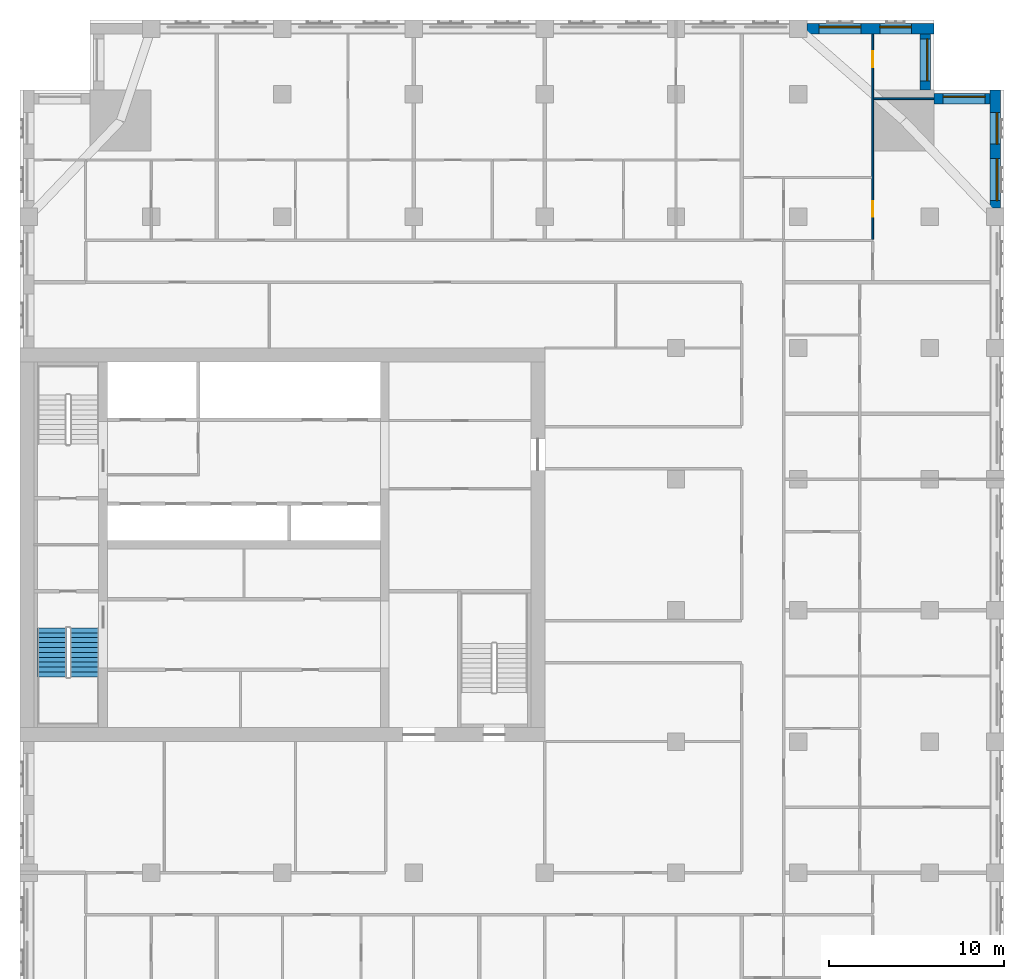
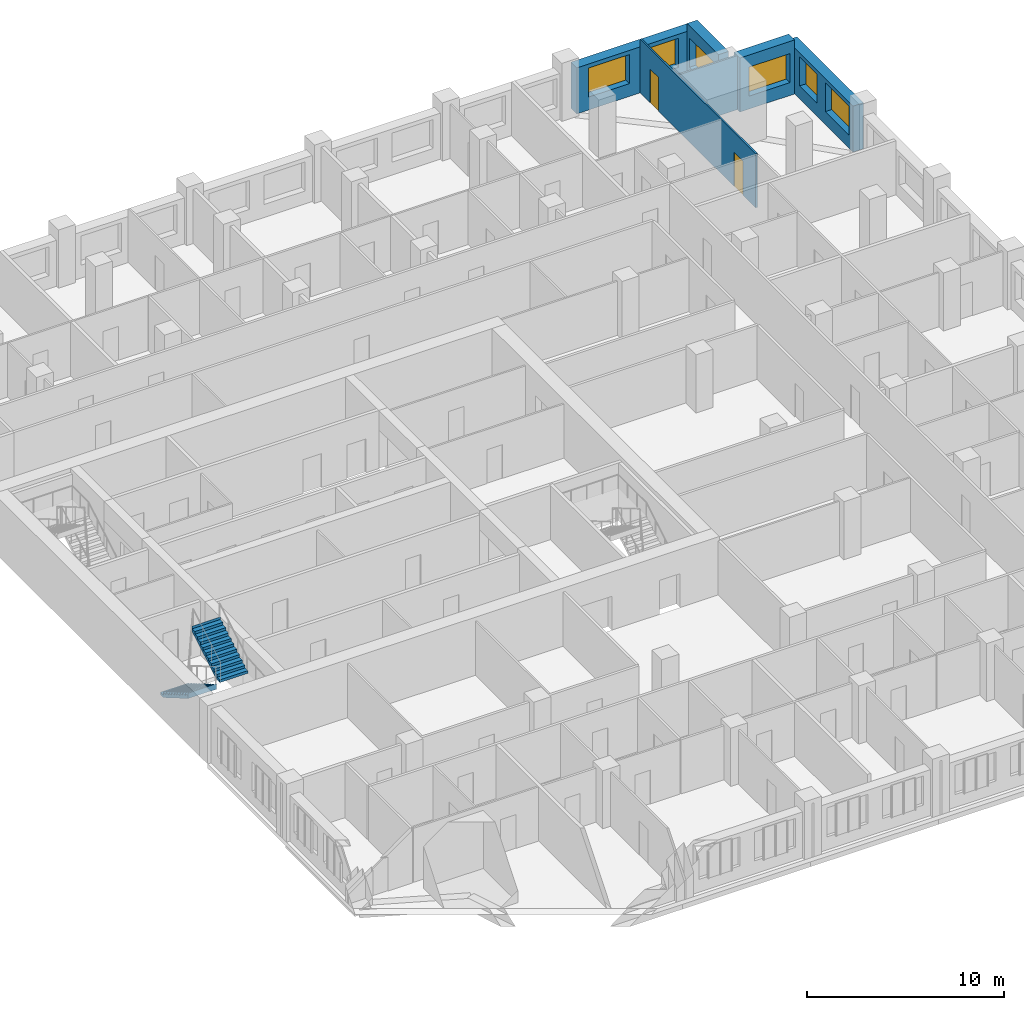
# One storey, part 11 of 13: 6 walls, 6 windows, 2 doors, 2 stair flights, 8 openings, 1 element without a shape of its own.
"""IFC4 building model written with IfcOpenShell, lengths in metres."""

from ifc_helpers import new_model, si_unit, direction, frame, frame_2d, origin, place, context, subcontext, project, spatial, polyline, rectangle, outline, extrude, material, layer, layer_set, type_object, element, fill, aggregate, save


model = new_model("IFC4")

# Units and contexts
model_context = context("Model", 3, precision=1e-05, world=origin(), true_north=direction((0.0, 1.0)))
body_context = subcontext(model_context, "Body", "Model", "MODEL_VIEW")
ifc_project = project(units=[si_unit("LENGTHUNIT", "METRE"), si_unit("AREAUNIT", "SQUARE_METRE"), si_unit("VOLUMEUNIT", "CUBIC_METRE"), si_unit("PLANEANGLEUNIT", "RADIAN"), si_unit("MASSUNIT", "GRAM", prefix="KILO")], contexts=[model_context])

# Site, building, storey
site_placement = place(None, origin())
site = spatial("IfcSite", under=ifc_project, at=site_placement, CompositionType="ELEMENT")
building_placement = place(site_placement, origin())
building = spatial("IfcBuilding", under=site, at=building_placement, Name="Tamorin Gate", CompositionType="ELEMENT")
storey_placement = place(building_placement, frame((0.0, 0.0, 159.0)))
storey = spatial("IfcBuildingStorey", under=building, at=storey_placement, Name="L39", CompositionType="ELEMENT", Elevation=159.0)

# Wall, openings, windows
ifc_material_1 = material(Name="Precast concrete C40/50", Category="concrete")
ifc_layer_1 = layer(ifc_material_1, 0.60009765625)
ifc_layer_set_1 = layer_set([ifc_layer_1], Name="Precast concrete C40/50")
wall_type_1 = type_object("IfcWallType", Name="Board-marked concrete facade panel 600", PredefinedType="SOLIDWALL", material=ifc_layer_set_1)
wall_1_placement = place(storey_placement, frame((85.75, 90.5, 0.0), z_axis=(0.0, 0.0, 1.0), x_axis=(0.0, 1.0, 0.0)))
wall_1 = element("IfcWall", 1, at=wall_1_placement, inside=storey, type_object=wall_type_1, Name="Facade panel", PredefinedType="SOLIDWALL", context=body_context, shape_type="SweptSolid", body=[
    extrude(rectangle(XDim=6.75, YDim=0.60009765625, at=frame_2d((3.375, 0.0))), origin(), (0.0, 0.0, 1.0), 2.85009765625),
])
opening_1_placement = place(wall_1_placement, frame((0.425048828125, 0.0, 0.800048828125)))
opening_1 = element("IfcOpeningElement", 2, at=opening_1_placement, cuts=wall_1, Name="Opening WN1", PredefinedType="OPENING", context=body_context, shape_type="SweptSolid", body=[
    extrude(rectangle(XDim=2.39990234375, YDim=1.800048828125, at=frame_2d((1.199951171875, 0.89990234375))), frame((0.0, 0.31005859375, 0.0), z_axis=(0.0, -1.0, 0.0), x_axis=(1.0, 0.0, 0.0)), (0.0, 0.0, 1.0), 0.6201171875),
])
opening_2_placement = place(wall_1_placement, frame((3.64990234375, 0.0, 0.800048828125)))
opening_2 = element("IfcOpeningElement", 3, at=opening_2_placement, cuts=wall_1, Name="Opening WN2", PredefinedType="OPENING", context=body_context, shape_type="SweptSolid", body=[
    extrude(rectangle(XDim=1.800048828125, YDim=1.800048828125, at=frame_2d((0.89990234375, 0.89990234375))), frame((0.0, 0.31005859375, 0.0), z_axis=(0.0, -1.0, 0.0), x_axis=(1.0, 0.0, 0.0)), (0.0, 0.0, 1.0), 0.6201171875),
])
ifc_material_2 = material(Name="Clear glass in aluminium frame", Category="aluminium")
window_type_1 = type_object("IfcWindowType", Name="Deep-set window 1800x1800", PartitioningType="SINGLE_PANEL", PredefinedType="WINDOW", material=ifc_material_2)
window_1_placement = place(opening_2_placement, origin())
window_1 = element("IfcWindow", 4, at=window_1_placement, inside=storey, type_object=window_type_1, Name="Deep-set window", OverallHeight=1.800048828125, OverallWidth=1.800048828125, PartitioningType="SINGLE_PANEL", PredefinedType="WINDOW", context=body_context, shape_type="SweptSolid", body=[
    extrude(rectangle(XDim=1.800048828125, YDim=1.800048828125, at=frame_2d((0.89990234375, 0.89990234375))), frame((0.0, -0.070068359375, 0.0), z_axis=(0.0, -1.0, 0.0), x_axis=(1.0, 0.0, 0.0)), (0.0, 0.0, 1.0), 0.06005859375),
])
fill(opening_2, window_1)
window_type_2 = type_object("IfcWindowType", Name="Deep-set window 2400x1800", PartitioningType="SINGLE_PANEL", PredefinedType="WINDOW", material=ifc_material_2)
window_2_placement = place(opening_1_placement, origin())
window_2 = element("IfcWindow", 5, at=window_2_placement, inside=storey, type_object=window_type_2, Name="Deep-set window", OverallHeight=1.800048828125, OverallWidth=2.39990234375, PartitioningType="SINGLE_PANEL", PredefinedType="WINDOW", context=body_context, shape_type="SweptSolid", body=[
    extrude(rectangle(XDim=2.39990234375, YDim=1.800048828125, at=frame_2d((1.199951171875, 0.89990234375))), frame((0.0, -0.070068359375, 0.0), z_axis=(0.0, -1.0, 0.0), x_axis=(1.0, 0.0, 0.0)), (0.0, 0.0, 1.0), 0.06005859375),
])
fill(opening_1, window_2)

# Wall, opening, window
wall_2_placement = place(storey_placement, frame((85.449951171875, 96.75, 0.0), z_axis=(0.0, 0.0, 1.0), x_axis=(-1.0, 0.0, 0.0)))
wall_2 = element("IfcWall", 6, at=wall_2_placement, inside=storey, type_object=wall_type_1, Name="Facade panel", PredefinedType="SOLIDWALL", context=body_context, shape_type="SweptSolid", body=[
    extrude(rectangle(XDim=3.199951171875, YDim=0.60009765625, at=frame_2d((1.60009765625, 0.0))), origin(), (0.0, 0.0, 1.0), 3.35009765625),
])
opening_3_placement = place(wall_2_placement, frame((0.27490234375, 0.0, 0.800048828125)))
opening_3 = element("IfcOpeningElement", 7, at=opening_3_placement, cuts=wall_2, Name="Opening WN1", PredefinedType="OPENING", context=body_context, shape_type="SweptSolid", body=[
    extrude(rectangle(XDim=2.39990234375, YDim=1.800048828125, at=frame_2d((1.199951171875, 0.89990234375))), frame((0.0, 0.31005859375, 0.0), z_axis=(0.0, -1.0, 0.0), x_axis=(1.0, 0.0, 0.0)), (0.0, 0.0, 1.0), 0.6201171875),
])
window_3_placement = place(opening_3_placement, origin())
window_3 = element("IfcWindow", 8, at=window_3_placement, inside=storey, type_object=window_type_2, Name="Deep-set window", OverallHeight=1.800048828125, OverallWidth=2.39990234375, PartitioningType="SINGLE_PANEL", PredefinedType="WINDOW", context=body_context, shape_type="SweptSolid", body=[
    extrude(rectangle(XDim=2.39990234375, YDim=1.800048828125, at=frame_2d((1.199951171875, 0.89990234375))), frame((0.0, -0.070068359375, 0.0), z_axis=(0.0, -1.0, 0.0), x_axis=(1.0, 0.0, 0.0)), (0.0, 0.0, 1.0), 0.06005859375),
])
fill(opening_3, window_3)

wall_3_placement = place(storey_placement, frame((81.75, 97.25, 0.0), z_axis=(0.0, 0.0, 1.0), x_axis=(0.0, 1.0, 0.0)))
wall_3 = element("IfcWall", 9, at=wall_3_placement, inside=storey, type_object=wall_type_1, Name="Facade panel", PredefinedType="SOLIDWALL", context=body_context, shape_type="SweptSolid", body=[
    extrude(rectangle(XDim=3.199951171875, YDim=0.60009765625, at=frame_2d((1.60009765625, 0.0))), origin(), (0.0, 0.0, 1.0), 3.35009765625),
])
opening_4_placement = place(wall_3_placement, frame((0.52490234375, 0.0, 0.800048828125)))
opening_4 = element("IfcOpeningElement", 10, at=opening_4_placement, cuts=wall_3, Name="Opening WN1", PredefinedType="OPENING", context=body_context, shape_type="SweptSolid", body=[
    extrude(rectangle(XDim=2.39990234375, YDim=1.800048828125, at=frame_2d((1.199951171875, 0.89990234375))), frame((0.0, 0.31005859375, 0.0), z_axis=(0.0, -1.0, 0.0), x_axis=(1.0, 0.0, 0.0)), (0.0, 0.0, 1.0), 0.6201171875),
])
window_4_placement = place(opening_4_placement, origin())
window_4 = element("IfcWindow", 11, at=window_4_placement, inside=storey, type_object=window_type_2, Name="Deep-set window", OverallHeight=1.800048828125, OverallWidth=2.39990234375, PartitioningType="SINGLE_PANEL", PredefinedType="WINDOW", context=body_context, shape_type="SweptSolid", body=[
    extrude(rectangle(XDim=2.39990234375, YDim=1.800048828125, at=frame_2d((1.199951171875, 0.89990234375))), frame((0.0, -0.070068359375, 0.0), z_axis=(0.0, -1.0, 0.0), x_axis=(1.0, 0.0, 0.0)), (0.0, 0.0, 1.0), 0.06005859375),
])
fill(opening_4, window_4)

# Wall, openings, windows
wall_4_placement = place(storey_placement, frame((82.25, 100.75, 0.0), z_axis=(0.0, 0.0, 1.0), x_axis=(-1.0, 0.0, 0.0)))
wall_4 = element("IfcWall", 12, at=wall_4_placement, inside=storey, type_object=wall_type_1, Name="Facade panel", PredefinedType="SOLIDWALL", context=body_context, shape_type="SweptSolid", body=[
    extrude(rectangle(XDim=7.25, YDim=0.60009765625, at=frame_2d((3.625, 0.0))), origin(), (0.0, 0.0, 1.0), 2.85009765625),
])
opening_5_placement = place(wall_4_placement, frame((4.175048828125, 0.0, 0.800048828125)))
opening_5 = element("IfcOpeningElement", 13, at=opening_5_placement, cuts=wall_4, Name="Opening WN1", PredefinedType="OPENING", context=body_context, shape_type="SweptSolid", body=[
    extrude(rectangle(XDim=2.39990234375, YDim=1.800048828125, at=frame_2d((1.199951171875, 0.89990234375))), frame((0.0, 0.31005859375, 0.0), z_axis=(0.0, -1.0, 0.0), x_axis=(1.0, 0.0, 0.0)), (0.0, 0.0, 1.0), 0.6201171875),
])
opening_6_placement = place(wall_4_placement, frame((1.300048828125, 0.0, 0.800048828125)))
opening_6 = element("IfcOpeningElement", 14, at=opening_6_placement, cuts=wall_4, Name="Opening WN2", PredefinedType="OPENING", context=body_context, shape_type="SweptSolid", body=[
    extrude(rectangle(XDim=1.800048828125, YDim=1.800048828125, at=frame_2d((0.89990234375, 0.89990234375))), frame((0.0, 0.31005859375, 0.0), z_axis=(0.0, -1.0, 0.0), x_axis=(1.0, 0.0, 0.0)), (0.0, 0.0, 1.0), 0.6201171875),
])
window_5_placement = place(opening_6_placement, origin())
window_5 = element("IfcWindow", 15, at=window_5_placement, inside=storey, type_object=window_type_1, Name="Deep-set window", OverallHeight=1.800048828125, OverallWidth=1.800048828125, PartitioningType="SINGLE_PANEL", PredefinedType="WINDOW", context=body_context, shape_type="SweptSolid", body=[
    extrude(rectangle(XDim=1.800048828125, YDim=1.800048828125, at=frame_2d((0.89990234375, 0.89990234375))), frame((0.0, -0.070068359375, 0.0), z_axis=(0.0, -1.0, 0.0), x_axis=(1.0, 0.0, 0.0)), (0.0, 0.0, 1.0), 0.06005859375),
])
fill(opening_6, window_5)
window_6_placement = place(opening_5_placement, origin())
window_6 = element("IfcWindow", 16, at=window_6_placement, inside=storey, type_object=window_type_2, Name="Deep-set window", OverallHeight=1.800048828125, OverallWidth=2.39990234375, PartitioningType="SINGLE_PANEL", PredefinedType="WINDOW", context=body_context, shape_type="SweptSolid", body=[
    extrude(rectangle(XDim=2.39990234375, YDim=1.800048828125, at=frame_2d((1.199951171875, 0.89990234375))), frame((0.0, -0.070068359375, 0.0), z_axis=(0.0, -1.0, 0.0), x_axis=(1.0, 0.0, 0.0)), (0.0, 0.0, 1.0), 0.06005859375),
])
fill(opening_5, window_6)

# Wall
ifc_material_3 = material(Name="Gypsum board partition")
ifc_layer_2 = layer(ifc_material_3, 0.10009765625)
ifc_layer_set_2 = layer_set([ifc_layer_2], Name="Room partition 100")
wall_type_2 = type_object("IfcWallType", Name="Room partition 100", PredefinedType="PARTITIONING", material=ifc_layer_set_2)
wall_5_placement = place(storey_placement, frame((78.800048828125, 96.75, 0.0), z_axis=(0.0, 0.0, 1.0), x_axis=(1.0, 0.0, 0.0)))
element("IfcWall", 17, at=wall_5_placement, inside=storey, type_object=wall_type_2, Name="Room partition 100", PredefinedType="PARTITIONING", context=body_context, shape_type="SweptSolid", body=[
    extrude(rectangle(XDim=3.43994140625, YDim=0.10009765625, at=frame_2d((1.719970703125, 0.0))), origin(), (0.0, 0.0, 1.0), 3.35009765625),
])

# Wall, openings, doors
wall_6_placement = place(storey_placement, frame((78.75, 88.71240234375, 0.0), z_axis=(0.0, 0.0, 1.0), x_axis=(0.0, 1.0, 0.0)))
wall_6 = element("IfcWall", 18, at=wall_6_placement, inside=storey, type_object=wall_type_2, Name="Room partition 100", PredefinedType="PARTITIONING", context=body_context, shape_type="SweptSolid", body=[
    extrude(rectangle(XDim=11.7275390625, YDim=0.10009765625, at=frame_2d((5.86376953125, 0.0))), origin(), (0.0, 0.0, 1.0), 3.35009765625),
])
opening_7_placement = place(wall_6_placement, frame((9.83740234375, 0.0, 0.0)))
opening_7 = element("IfcOpeningElement", 19, at=opening_7_placement, cuts=wall_6, Name="Opening DS1060", PredefinedType="OPENING", context=body_context, shape_type="SweptSolid", body=[
    extrude(rectangle(XDim=0.89990234375, YDim=2.10009765625, at=frame_2d((0.449951171875, 1.050048828125))), frame((0.0, 0.06005859375, 0.0), z_axis=(0.0, -1.0, 0.0), x_axis=(1.0, 0.0, 0.0)), (0.0, 0.0, 1.0), 0.1201171875),
])
opening_8_placement = place(wall_6_placement, frame((1.28759765625, 0.0, 0.0)))
opening_8 = element("IfcOpeningElement", 20, at=opening_8_placement, cuts=wall_6, Name="Opening DS1061", PredefinedType="OPENING", context=body_context, shape_type="SweptSolid", body=[
    extrude(rectangle(XDim=0.89990234375, YDim=2.10009765625, at=frame_2d((0.449951171875, 1.050048828125))), frame((0.0, 0.06005859375, 0.0), z_axis=(0.0, -1.0, 0.0), x_axis=(1.0, 0.0, 0.0)), (0.0, 0.0, 1.0), 0.1201171875),
])
ifc_material_4 = material(Name="Timber door leaf", Category="wood")
door_type = type_object("IfcDoorType", Name="Door 900 x 2100", OperationType="NOTDEFINED", PredefinedType="DOOR", material=ifc_material_4)
door_1_placement = place(opening_7_placement, origin())
door_1 = element("IfcDoor", 21, at=door_1_placement, inside=storey, type_object=door_type, Name="Door DS1060", OperationType="SINGLE_SWING_LEFT", OverallHeight=2.10009765625, OverallWidth=0.89990234375, PredefinedType="DOOR", context=body_context, shape_type="SweptSolid", body=[
    extrude(rectangle(XDim=0.89990234375, YDim=2.10009765625, at=frame_2d((0.449951171875, 1.050048828125))), frame((0.0, 0.02490234375, 0.0), z_axis=(0.0, -1.0, 0.0), x_axis=(1.0, 0.0, 0.0)), (0.0, 0.0, 1.0), 0.050048828125),
])
fill(opening_7, door_1)
door_2_placement = place(opening_8_placement, origin())
door_2 = element("IfcDoor", 22, at=door_2_placement, inside=storey, type_object=door_type, Name="Door DS1061", OperationType="SINGLE_SWING_RIGHT", OverallHeight=2.10009765625, OverallWidth=0.89990234375, PredefinedType="DOOR", context=body_context, shape_type="SweptSolid", body=[
    extrude(rectangle(XDim=0.89990234375, YDim=2.10009765625, at=frame_2d((0.449951171875, 1.050048828125))), frame((0.0, 0.02490234375, 0.0), z_axis=(0.0, -1.0, 0.0), x_axis=(1.0, 0.0, 0.0)), (0.0, 0.0, 1.0), 0.050048828125),
])
fill(opening_8, door_2)

# Stair, stair flights
ifc_material_5 = material(Name="Concrete C40/50", Category="concrete")
stair_type = type_object("IfcStairType", Name="Exit stair", PredefinedType="HALF_TURN_STAIR", material=ifc_material_5)
stair_placement = place(storey_placement, origin())
stair = element("IfcStair", 23, at=stair_placement, inside=storey, type_object=stair_type, Name="L39 stair ST1", PredefinedType="HALF_TURN_STAIR")
stair_flight_type = type_object("IfcStairFlightType", Name="Exit stair flight", PredefinedType="STRAIGHT", material=ifc_material_5)
stair_flight_1_placement = place(storey_placement, frame((31.824951171875, 66.5, 0.0), z_axis=(0.0, 0.0, 1.0), x_axis=(0.0, -1.0, 0.0)))
stair_flight_1 = element("IfcStairFlight", 24, at=stair_flight_1_placement, type_object=stair_flight_type, Name="ST1 flight 1", NumberOfRisers=11, NumberOfTreads=10, PredefinedType="STRAIGHT", RiserHeight=0.163636364, TreadLength=0.28, context=body_context, shape_type="SweptSolid", body=[
    extrude(outline(polyline([(-0.00048828125, 0.0), (-0.00048828125, 0.001708984375), (-0.00048828125, 0.003173828125), (-0.00048828125, 0.0048828125), (-0.00048828125, 0.006591796875), (-0.00048828125, 0.008056640625), (-0.00048828125, 0.009765625), (-0.00048828125, 0.01123046875), (-0.00048828125, 0.012939453125), (-0.00048828125, 0.0146484375), (-0.00048828125, 0.01611328125), (-0.00048828125, 0.017822265625), (-0.00048828125, 0.01953125), (-0.00048828125, 0.02099609375), (-0.00048828125, 0.022705078125), (-0.00048828125, 0.0244140625), (-0.00048828125, 0.02587890625), (-0.00048828125, 0.027587890625), (-0.00048828125, 0.029052734375), (-0.00048828125, 0.03076171875), (-0.00048828125, 0.032470703125), (-0.00048828125, 0.033935546875), (-0.00048828125, 0.03564453125), (-0.00048828125, 0.037353515625), (-0.00048828125, 0.038818359375), (-0.00048828125, 0.04052734375), (-0.00048828125, 0.042236328125), (-0.00048828125, 0.043701171875), (-0.00048828125, 0.04541015625), (-0.00048828125, 0.046875), (-0.00048828125, 0.048583984375), (-0.00048828125, 0.05029296875), (-0.00048828125, 0.0517578125), (-0.00048828125, 0.053466796875), (-0.00048828125, 0.05517578125), (-0.00048828125, 0.056640625), (-0.00048828125, 0.058349609375), (-0.00048828125, 0.06005859375), (-0.00048828125, 0.0615234375), (-0.00048828125, 0.063232421875), (-0.00048828125, 0.064697265625), (-0.00048828125, 0.06640625), (-0.00048828125, 0.068115234375), (-0.00048828125, 0.069580078125), (-0.00048828125, 0.0712890625), (-0.00048828125, 0.072998046875), (-0.00048828125, 0.074462890625), (-0.00048828125, 0.076171875), (-0.00048828125, 0.077880859375), (-0.00048828125, 0.079345703125), (-0.00048828125, 0.0810546875), (-0.00048828125, 0.08251953125), (-0.00048828125, 0.084228515625), (-0.00048828125, 0.0859375), (-0.00048828125, 0.08740234375), (-0.00048828125, 0.089111328125), (-0.00048828125, 0.0908203125), (-0.00048828125, 0.09228515625), (-0.00048828125, 0.093994140625), (-0.00048828125, 0.095703125), (-0.00048828125, 0.09716796875), (-0.00048828125, 0.098876953125), (-0.00048828125, 0.100341796875), (-0.00048828125, 0.10205078125), (-0.00048828125, 0.103759765625), (-0.00048828125, 0.105224609375), (-0.00048828125, 0.10693359375), (-0.00048828125, 0.108642578125), (-0.00048828125, 0.110107421875), (-0.00048828125, 0.11181640625), (-0.00048828125, 0.113525390625), (-0.00048828125, 0.114990234375), (-0.00048828125, 0.11669921875), (-0.00048828125, 0.1181640625), (-0.00048828125, 0.119873046875), (-0.00048828125, 0.12158203125), (-0.00048828125, 0.123046875), (-0.00048828125, 0.124755859375), (-0.00048828125, 0.12646484375), (-0.00048828125, 0.1279296875), (-0.00048828125, 0.129638671875), (-0.00048828125, 0.13134765625), (-0.00048828125, 0.1328125), (-0.00048828125, 0.134521484375), (-0.00048828125, 0.135986328125), (-0.00048828125, 0.1376953125), (-0.00048828125, 0.139404296875), (-0.00048828125, 0.140869140625), (-0.00048828125, 0.142578125), (-0.00048828125, 0.144287109375), (-0.00048828125, 0.145751953125), (-0.00048828125, 0.1474609375), (-0.00048828125, 0.149169921875), (-0.00048828125, 0.150634765625), (-0.00048828125, 0.15234375), (-0.00048828125, 0.15380859375), (-0.00048828125, 0.155517578125), (-0.00048828125, 0.1572265625), (-0.00048828125, 0.15869140625), (-0.00048828125, 0.160400390625), (-0.00048828125, 0.162109375), (-0.00048828125, 0.16357421875), (0.280029296875, 0.16357421875), (0.280029296875, 0.327392578125), (0.56005859375, 0.327392578125), (0.56005859375, 0.490966796875), (0.840087890625, 0.490966796875), (0.840087890625, 0.654541015625), (1.1201171875, 0.654541015625), (1.1201171875, 0.818115234375), (1.39990234375, 0.818115234375), (1.39990234375, 0.98193359375), (1.679931640625, 0.98193359375), (1.679931640625, 1.1455078125), (1.9599609375, 1.1455078125), (1.9599609375, 1.30908203125), (2.239990234375, 1.30908203125), (2.239990234375, 1.47265625), (2.52001953125, 1.47265625), (2.52001953125, 1.636474609375), (2.800048828125, 1.636474609375), (2.800048828125, 1.800048828125), (2.800537109375, 1.800048828125), (2.800537109375, 1.796630859375), (2.800537109375, 1.793212890625), (2.800537109375, 1.7900390625), (2.800537109375, 1.78662109375), (2.800537109375, 1.783203125), (2.800537109375, 1.780029296875), (2.800537109375, 1.776611328125), (2.800537109375, 1.773193359375), (2.800537109375, 1.77001953125), (2.800537109375, 1.7666015625), (2.800537109375, 1.76318359375), (2.800537109375, 1.760009765625), (2.800537109375, 1.756591796875), (2.800537109375, 1.753173828125), (2.800537109375, 1.75), (2.800537109375, 1.74658203125), (2.800537109375, 1.7431640625), (2.800537109375, 1.739990234375), (2.800537109375, 1.736572265625), (2.800537109375, 1.733154296875), (2.800537109375, 1.72998046875), (2.800537109375, 1.7265625), (2.800537109375, 1.72314453125), (2.800537109375, 1.719970703125), (2.800537109375, 1.716552734375), (2.800537109375, 1.713134765625), (2.800537109375, 1.7099609375), (2.800537109375, 1.70654296875), (2.800537109375, 1.703125), (2.800537109375, 1.69970703125), (2.800537109375, 1.696533203125), (2.800537109375, 1.693115234375), (2.800537109375, 1.689697265625), (2.800537109375, 1.6865234375), (2.800537109375, 1.68310546875), (2.800537109375, 1.6796875), (2.800537109375, 1.676513671875), (2.800537109375, 1.673095703125), (2.800537109375, 1.669677734375), (2.800537109375, 1.66650390625), (2.800537109375, 1.6630859375), (2.800537109375, 1.65966796875), (2.800537109375, 1.656494140625), (2.800537109375, 1.653076171875), (2.800537109375, 1.649658203125), (2.800537109375, 1.646484375), (2.800537109375, 1.64306640625), (2.800537109375, 1.6396484375), (2.800537109375, 1.636474609375), (2.800537109375, 1.633056640625), (2.800537109375, 1.629638671875), (2.800537109375, 1.62646484375), (2.800537109375, 1.623046875), (2.800537109375, 1.61962890625), (2.800537109375, 1.616455078125), (2.800537109375, 1.613037109375), (2.800537109375, 1.609619140625), (2.800537109375, 1.6064453125), (2.800537109375, 1.60302734375), (2.800537109375, 1.599609375), (2.800537109375, 1.59619140625), (2.800537109375, 1.593017578125), (2.800537109375, 1.589599609375), (2.800537109375, 1.586181640625), (2.800537109375, 1.5830078125), (2.800537109375, 1.57958984375), (2.800537109375, 1.576171875), (2.800537109375, 1.572998046875), (2.800537109375, 1.569580078125), (2.800537109375, 1.566162109375), (2.800537109375, 1.56298828125), (2.800537109375, 1.5595703125), (2.800537109375, 1.55615234375), (2.800537109375, 1.552978515625), (2.800537109375, 1.549560546875), (2.800537109375, 1.546142578125), (2.800537109375, 1.54296875), (2.800537109375, 1.53955078125), (2.800537109375, 1.5361328125), (2.800537109375, 1.532958984375), (2.800537109375, 1.529541015625), (2.800537109375, 1.526123046875), (2.800537109375, 1.52294921875), (2.800537109375, 1.51953125), (2.800537109375, 1.51611328125), (2.800537109375, 1.512939453125), (2.800537109375, 1.509521484375), (2.800537109375, 1.506103515625), (2.800537109375, 1.5029296875), (2.800537109375, 1.49951171875), (2.800537109375, 1.49609375), (2.800537109375, 1.49267578125), (2.800537109375, 1.489501953125), (2.800537109375, 1.486083984375), (2.800537109375, 1.482666015625), (2.800537109375, 1.4794921875), (2.800537109375, 1.47607421875), (2.800537109375, 1.47265625), (2.800537109375, 1.469482421875), (2.800537109375, 1.466064453125), (2.800537109375, 1.462646484375), (2.800048828125, 1.462646484375), (0.297119140625, 0.0), (-0.00048828125, 0.0)])), frame((0.0, 0.824951171875, 0.0), z_axis=(0.0, -1.0, 0.0), x_axis=(1.0, 0.0, 0.0)), (0.0, 0.0, 1.0), 1.64990234375),
])
stair_flight_2_placement = place(storey_placement, frame((33.675048828125, 63.699951171875, 1.800048828125), z_axis=(0.0, 0.0, 1.0), x_axis=(0.0, 1.0, 0.0)))
stair_flight_2 = element("IfcStairFlight", 25, at=stair_flight_2_placement, type_object=stair_flight_type, Name="ST1 flight 2", NumberOfRisers=11, NumberOfTreads=10, PredefinedType="STRAIGHT", RiserHeight=0.163636364, TreadLength=0.28, context=body_context, shape_type="SweptSolid", body=[
    extrude(outline(polyline([(-0.00048828125, 0.0), (-0.00048828125, 0.001708984375), (-0.00048828125, 0.003173828125), (-0.00048828125, 0.0048828125), (-0.00048828125, 0.006591796875), (-0.00048828125, 0.008056640625), (-0.00048828125, 0.009765625), (-0.00048828125, 0.01123046875), (-0.00048828125, 0.012939453125), (-0.00048828125, 0.0146484375), (-0.00048828125, 0.01611328125), (-0.00048828125, 0.017822265625), (-0.00048828125, 0.01953125), (-0.00048828125, 0.02099609375), (-0.00048828125, 0.022705078125), (-0.00048828125, 0.0244140625), (-0.00048828125, 0.02587890625), (-0.00048828125, 0.027587890625), (-0.00048828125, 0.029052734375), (-0.00048828125, 0.03076171875), (-0.00048828125, 0.032470703125), (-0.00048828125, 0.033935546875), (-0.00048828125, 0.03564453125), (-0.00048828125, 0.037353515625), (-0.00048828125, 0.038818359375), (-0.00048828125, 0.04052734375), (-0.00048828125, 0.042236328125), (-0.00048828125, 0.043701171875), (-0.00048828125, 0.04541015625), (-0.00048828125, 0.046875), (-0.00048828125, 0.048583984375), (-0.00048828125, 0.05029296875), (-0.00048828125, 0.0517578125), (-0.00048828125, 0.053466796875), (-0.00048828125, 0.05517578125), (-0.00048828125, 0.056640625), (-0.00048828125, 0.058349609375), (-0.00048828125, 0.06005859375), (-0.00048828125, 0.0615234375), (-0.00048828125, 0.063232421875), (-0.00048828125, 0.064697265625), (-0.00048828125, 0.06640625), (-0.00048828125, 0.068115234375), (-0.00048828125, 0.069580078125), (-0.00048828125, 0.0712890625), (-0.00048828125, 0.072998046875), (-0.00048828125, 0.074462890625), (-0.00048828125, 0.076171875), (-0.00048828125, 0.077880859375), (-0.00048828125, 0.079345703125), (-0.00048828125, 0.0810546875), (-0.00048828125, 0.08251953125), (-0.00048828125, 0.084228515625), (-0.00048828125, 0.0859375), (-0.00048828125, 0.08740234375), (-0.00048828125, 0.089111328125), (-0.00048828125, 0.0908203125), (-0.00048828125, 0.09228515625), (-0.00048828125, 0.093994140625), (-0.00048828125, 0.095703125), (-0.00048828125, 0.09716796875), (-0.00048828125, 0.098876953125), (-0.00048828125, 0.100341796875), (-0.00048828125, 0.10205078125), (-0.00048828125, 0.103759765625), (-0.00048828125, 0.105224609375), (-0.00048828125, 0.10693359375), (-0.00048828125, 0.108642578125), (-0.00048828125, 0.110107421875), (-0.00048828125, 0.11181640625), (-0.00048828125, 0.113525390625), (-0.00048828125, 0.114990234375), (-0.00048828125, 0.11669921875), (-0.00048828125, 0.1181640625), (-0.00048828125, 0.119873046875), (-0.00048828125, 0.12158203125), (-0.00048828125, 0.123046875), (-0.00048828125, 0.124755859375), (-0.00048828125, 0.12646484375), (-0.00048828125, 0.1279296875), (-0.00048828125, 0.129638671875), (-0.00048828125, 0.13134765625), (-0.00048828125, 0.1328125), (-0.00048828125, 0.134521484375), (-0.00048828125, 0.135986328125), (-0.00048828125, 0.1376953125), (-0.00048828125, 0.139404296875), (-0.00048828125, 0.140869140625), (-0.00048828125, 0.142578125), (-0.00048828125, 0.144287109375), (-0.00048828125, 0.145751953125), (-0.00048828125, 0.1474609375), (-0.00048828125, 0.149169921875), (-0.00048828125, 0.150634765625), (-0.00048828125, 0.15234375), (-0.00048828125, 0.15380859375), (-0.00048828125, 0.155517578125), (-0.00048828125, 0.1572265625), (-0.00048828125, 0.15869140625), (-0.00048828125, 0.160400390625), (-0.00048828125, 0.162109375), (-0.00048828125, 0.16357421875), (0.280029296875, 0.16357421875), (0.280029296875, 0.327392578125), (0.56005859375, 0.327392578125), (0.56005859375, 0.490966796875), (0.840087890625, 0.490966796875), (0.840087890625, 0.654541015625), (1.1201171875, 0.654541015625), (1.1201171875, 0.818115234375), (1.39990234375, 0.818115234375), (1.39990234375, 0.98193359375), (1.679931640625, 0.98193359375), (1.679931640625, 1.1455078125), (1.9599609375, 1.1455078125), (1.9599609375, 1.30908203125), (2.239990234375, 1.30908203125), (2.239990234375, 1.47265625), (2.52001953125, 1.47265625), (2.52001953125, 1.636474609375), (2.800048828125, 1.636474609375), (2.800048828125, 1.800048828125), (2.800537109375, 1.800048828125), (2.800537109375, 1.796630859375), (2.800537109375, 1.793212890625), (2.800537109375, 1.7900390625), (2.800537109375, 1.78662109375), (2.800537109375, 1.783203125), (2.800537109375, 1.780029296875), (2.800537109375, 1.776611328125), (2.800537109375, 1.773193359375), (2.800537109375, 1.77001953125), (2.800537109375, 1.7666015625), (2.800537109375, 1.76318359375), (2.800537109375, 1.760009765625), (2.800537109375, 1.756591796875), (2.800537109375, 1.753173828125), (2.800537109375, 1.75), (2.800537109375, 1.74658203125), (2.800537109375, 1.7431640625), (2.800537109375, 1.739990234375), (2.800537109375, 1.736572265625), (2.800537109375, 1.733154296875), (2.800537109375, 1.72998046875), (2.800537109375, 1.7265625), (2.800537109375, 1.72314453125), (2.800537109375, 1.719970703125), (2.800537109375, 1.716552734375), (2.800537109375, 1.713134765625), (2.800537109375, 1.7099609375), (2.800537109375, 1.70654296875), (2.800537109375, 1.703125), (2.800537109375, 1.69970703125), (2.800537109375, 1.696533203125), (2.800537109375, 1.693115234375), (2.800537109375, 1.689697265625), (2.800537109375, 1.6865234375), (2.800537109375, 1.68310546875), (2.800537109375, 1.6796875), (2.800537109375, 1.676513671875), (2.800537109375, 1.673095703125), (2.800537109375, 1.669677734375), (2.800537109375, 1.66650390625), (2.800537109375, 1.6630859375), (2.800537109375, 1.65966796875), (2.800537109375, 1.656494140625), (2.800537109375, 1.653076171875), (2.800537109375, 1.649658203125), (2.800537109375, 1.646484375), (2.800537109375, 1.64306640625), (2.800537109375, 1.6396484375), (2.800537109375, 1.636474609375), (2.800537109375, 1.633056640625), (2.800537109375, 1.629638671875), (2.800537109375, 1.62646484375), (2.800537109375, 1.623046875), (2.800537109375, 1.61962890625), (2.800537109375, 1.616455078125), (2.800537109375, 1.613037109375), (2.800537109375, 1.609619140625), (2.800537109375, 1.6064453125), (2.800537109375, 1.60302734375), (2.800537109375, 1.599609375), (2.800537109375, 1.59619140625), (2.800537109375, 1.593017578125), (2.800537109375, 1.589599609375), (2.800537109375, 1.586181640625), (2.800537109375, 1.5830078125), (2.800537109375, 1.57958984375), (2.800537109375, 1.576171875), (2.800537109375, 1.572998046875), (2.800537109375, 1.569580078125), (2.800537109375, 1.566162109375), (2.800537109375, 1.56298828125), (2.800537109375, 1.5595703125), (2.800537109375, 1.55615234375), (2.800537109375, 1.552978515625), (2.800537109375, 1.549560546875), (2.800537109375, 1.546142578125), (2.800537109375, 1.54296875), (2.800537109375, 1.53955078125), (2.800537109375, 1.5361328125), (2.800537109375, 1.532958984375), (2.800537109375, 1.529541015625), (2.800537109375, 1.526123046875), (2.800537109375, 1.52294921875), (2.800537109375, 1.51953125), (2.800537109375, 1.51611328125), (2.800537109375, 1.512939453125), (2.800537109375, 1.509521484375), (2.800537109375, 1.506103515625), (2.800537109375, 1.5029296875), (2.800537109375, 1.49951171875), (2.800537109375, 1.49609375), (2.800537109375, 1.49267578125), (2.800537109375, 1.489501953125), (2.800537109375, 1.486083984375), (2.800537109375, 1.482666015625), (2.800537109375, 1.4794921875), (2.800537109375, 1.47607421875), (2.800537109375, 1.47265625), (2.800537109375, 1.469482421875), (2.800537109375, 1.466064453125), (2.800537109375, 1.462646484375), (2.800048828125, 1.462646484375), (0.297119140625, 0.0), (-0.00048828125, 0.0)])), frame((0.0, 0.824951171875, 0.0), z_axis=(0.0, -1.0, 0.0), x_axis=(1.0, 0.0, 0.0)), (0.0, 0.0, 1.0), 1.64990234375),
])
aggregate(stair, [stair_flight_1, stair_flight_2])

save(model, "model.ifc")
